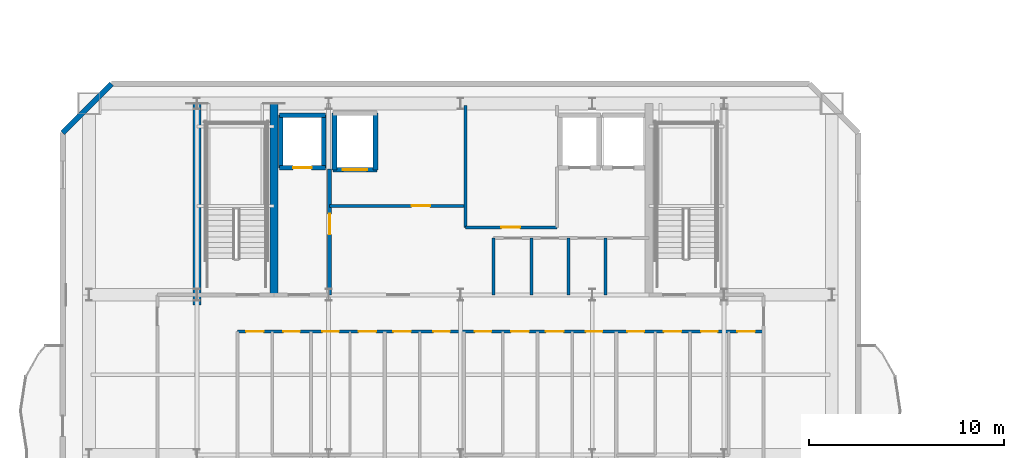
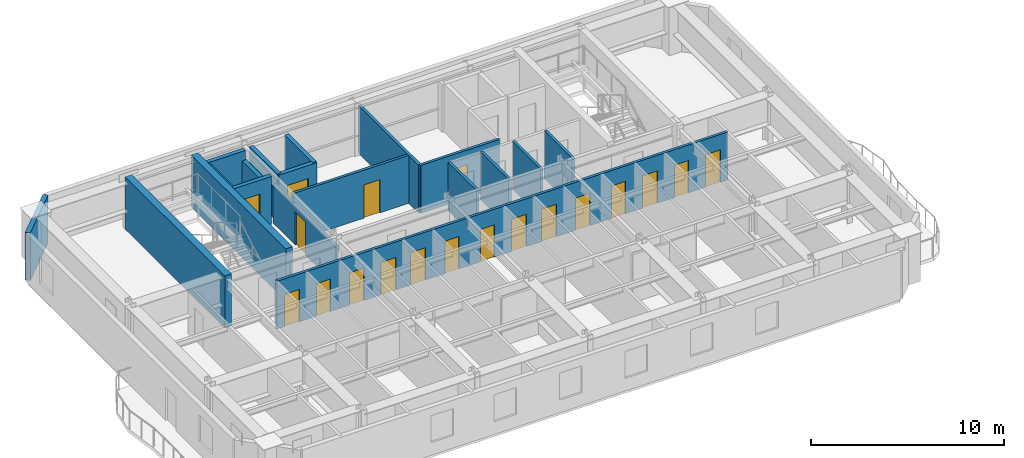
# One storey, part 8 of 16: 19 doors, 19 walls, 19 openings.
"""IFC4 building model written with IfcOpenShell, lengths in metres."""

from ifc_helpers import new_model, si_unit, direction, frame, frame_2d, origin, place, context, subcontext, project, spatial, rectangle, extrude, material, layer, layer_set, type_object, element, fill, save


model = new_model("IFC4")

# Units and contexts
model_context = context("Model", 3, precision=1e-05, world=origin(), true_north=direction((0.0, 1.0)))
body_context = subcontext(model_context, "Body", "Model", "MODEL_VIEW")
ifc_project = project(units=[si_unit("LENGTHUNIT", "METRE"), si_unit("AREAUNIT", "SQUARE_METRE"), si_unit("VOLUMEUNIT", "CUBIC_METRE"), si_unit("PLANEANGLEUNIT", "RADIAN"), si_unit("MASSUNIT", "GRAM", prefix="KILO")], contexts=[model_context])

# Site, building, storey
site_placement = place(None, origin())
site = spatial("IfcSite", under=ifc_project, at=site_placement, CompositionType="ELEMENT")
building_placement = place(site_placement, origin())
building = spatial("IfcBuilding", under=site, at=building_placement, Name="Haevon Station Towers", CompositionType="ELEMENT")
storey_placement = place(building_placement, frame((0.0, 0.0, 215.39990234375)))
storey = spatial("IfcBuildingStorey", under=building, at=storey_placement, Name="L59", CompositionType="ELEMENT", Elevation=215.39990234375)

# Wall, opening, door
ifc_material_1 = material(Name="Gypsum board on steel stud", Category="steel")
ifc_layer_1 = layer(ifc_material_1, 0.199951171875)
ifc_layer_set_1 = layer_set([ifc_layer_1], Name="Gypsum board on steel stud")
wall_type_1 = type_object("IfcWallType", Name="WL-COR200", PredefinedType="PARTITIONING", material=ifc_layer_set_1)
wall_1_placement = place(storey_placement, frame((30.800048828125, 38.199951171875, 0.0), z_axis=(0.0, 0.0, 1.0), x_axis=(0.0, 1.0, 0.0)))
wall_1 = element("IfcWall", 1, at=wall_1_placement, inside=storey, type_object=wall_type_1, Name="WL-T1FFL-L59-E", PredefinedType="PARTITIONING", context=body_context, shape_type="SweptSolid", body=[
    extrude(rectangle(XDim=6.449951171875, YDim=0.199951171875, at=frame_2d((3.22509765625, 0.0))), origin(), (0.0, 0.0, 1.0), 2.43017578125),
])
opening_1_placement = place(wall_1_placement, frame((3.10009765625, 0.0, 0.0)))
opening_1 = element("IfcOpeningElement", 2, at=opening_1_placement, cuts=wall_1, Name="Opening DR-T1FFL-L59-E", PredefinedType="OPENING", context=body_context, shape_type="SweptSolid", body=[
    extrude(rectangle(XDim=1.050048828125, YDim=2.10009765625, at=frame_2d((0.52490234375, 1.050048828125))), frame((0.0, 0.10986328125, 0.0), z_axis=(0.0, -1.0, 0.0), x_axis=(1.0, 0.0, 0.0)), (0.0, 0.0, 1.0), 0.219970703125),
])
ifc_material_2 = material(Name="Engineered oak timber", Category="wood")
door_type_1 = type_object("IfcDoorType", Name="DR-FD60-1050", OperationType="NOTDEFINED", PredefinedType="DOOR", material=ifc_material_2)
door_1_placement = place(opening_1_placement, origin())
door_1 = element("IfcDoor", 3, at=door_1_placement, inside=storey, type_object=door_type_1, Name="L59 Tower 1 Firefighting Lift Lobby Door E", OperationType="SINGLE_SWING_LEFT", OverallHeight=2.10009765625, OverallWidth=1.050048828125, PredefinedType="DOOR", context=body_context, shape_type="SweptSolid", body=[
    extrude(rectangle(XDim=1.050048828125, YDim=2.10009765625, at=frame_2d((0.52490234375, 1.050048828125))), frame((0.0, 0.02490234375, 0.0), z_axis=(0.0, -1.0, 0.0), x_axis=(1.0, 0.0, 0.0)), (0.0, 0.0, 1.0), 0.050048828125),
])
fill(opening_1, door_1)

# Walls
ifc_material_3 = material(Name="Concrete C60/75", Category="concrete")
ifc_layer_2 = layer(ifc_material_3, 0.39990234375)
ifc_layer_set_2 = layer_set([ifc_layer_2], Name="Concrete C60/75")
wall_type_2 = type_object("IfcWallType", Name="WL-CR400", PredefinedType="SHEAR", material=ifc_layer_set_2)
wall_2_placement = place(storey_placement, frame((24.0, 37.679931640625, 0.0), z_axis=(0.0, 0.0, 1.0), x_axis=(0.0, 1.0, 0.0)))
element("IfcWall", 4, at=wall_2_placement, inside=storey, type_object=wall_type_2, Name="WL-T1CR-L59-W", PredefinedType="SHEAR", context=body_context, shape_type="SweptSolid", body=[
    extrude(rectangle(XDim=10.320068359375, YDim=0.39990234375, at=frame_2d((5.16015625, 0.0))), origin(), (0.0, 0.0, 1.0), 3.300048828125),
])
wall_3_placement = place(storey_placement, frame((27.949951171875, 38.199951171875, 0.0), z_axis=(0.0, 0.0, 1.0), x_axis=(0.0, 1.0, 0.0)))
element("IfcWall", 5, at=wall_3_placement, inside=storey, type_object=wall_type_2, Name="WL-T1CR-L59-M1", PredefinedType="SHEAR", context=body_context, shape_type="SweptSolid", body=[
    extrude(rectangle(XDim=9.800048828125, YDim=0.39990234375, at=frame_2d((4.89990234375, 0.0))), origin(), (0.0, 0.0, 1.0), 3.300048828125),
])
ifc_material_4 = material(Name="Precast concrete C45/55", Category="concrete")
ifc_layer_3 = layer(ifc_material_4, 0.280029296875)
ifc_layer_set_3 = layer_set([ifc_layer_3], Name="Precast concrete C45/55")
wall_type_3 = type_object("IfcWallType", Name="WL-EXT-PIER280", PredefinedType="SOLIDWALL", material=ifc_layer_set_3)
wall_4_placement = place(storey_placement, frame((17.125, 46.5, 0.0), z_axis=(0.0, 0.0, 1.0), x_axis=(0.707106781187, 0.707106781187, 0.0)))
element("IfcWall", 6, at=wall_4_placement, inside=storey, type_object=wall_type_3, Name="WL-T1-L59-NWC", PredefinedType="SOLIDWALL", context=body_context, shape_type="SweptSolid", body=[
    extrude(rectangle(XDim=3.53564453125, YDim=0.280029296875, at=frame_2d((1.767822265625, 0.0))), origin(), (0.0, 0.0, 1.0), 3.030029296875),
])

# Wall, opening, door
ifc_layer_4 = layer(ifc_material_1, 0.159912109375)
ifc_layer_set_4 = layer_set([ifc_layer_4], Name="Gypsum board on steel stud")
wall_type_4 = type_object("IfcWallType", Name="WL-PRT160", PredefinedType="PARTITIONING", material=ifc_layer_set_4)
wall_5_placement = place(storey_placement, frame((30.800048828125, 42.75, 0.0), z_axis=(0.0, 0.0, 1.0), x_axis=(1.0, 0.0, 0.0)))
wall_5 = element("IfcWall", 7, at=wall_5_placement, inside=storey, type_object=wall_type_4, Name="WL-T1CW-L59-01", PredefinedType="PARTITIONING", context=body_context, shape_type="SweptSolid", body=[
    extrude(rectangle(XDim=6.949951171875, YDim=0.159912109375, at=frame_2d((3.47509765625, 0.0))), origin(), (0.0, 0.0, 1.0), 3.030029296875),
])
opening_2_placement = place(wall_5_placement, frame((4.199951171875, 0.0, 0.0)))
opening_2 = element("IfcOpeningElement", 8, at=opening_2_placement, cuts=wall_5, Name="Opening DR-WL-T1CW-L59-01-1", PredefinedType="OPENING", context=body_context, shape_type="SweptSolid", body=[
    extrude(rectangle(XDim=0.949951171875, YDim=2.10009765625, at=frame_2d((0.47509765625, 1.050048828125))), frame((0.0, 0.08984375, 0.0), z_axis=(0.0, -1.0, 0.0), x_axis=(1.0, 0.0, 0.0)), (0.0, 0.0, 1.0), 0.179931640625),
])
door_type_2 = type_object("IfcDoorType", Name="DR-FD60-950", OperationType="NOTDEFINED", PredefinedType="DOOR", material=ifc_material_2)
door_2_placement = place(opening_2_placement, origin())
door_2 = element("IfcDoor", 9, at=door_2_placement, inside=storey, type_object=door_type_2, Name="L59 Tower 1 Core Room Door 1-1", OperationType="SINGLE_SWING_LEFT", OverallHeight=2.10009765625, OverallWidth=0.949951171875, PredefinedType="DOOR", context=body_context, shape_type="SweptSolid", body=[
    extrude(rectangle(XDim=0.949951171875, YDim=2.10009765625, at=frame_2d((0.47509765625, 1.050048828125))), frame((0.0, 0.02490234375, 0.0), z_axis=(0.0, -1.0, 0.0), x_axis=(1.0, 0.0, 0.0)), (0.0, 0.0, 1.0), 0.050048828125),
])
fill(opening_2, door_2)

# Wall
wall_6_placement = place(storey_placement, frame((37.75, 41.64990234375, 0.0), z_axis=(0.0, 0.0, 1.0), x_axis=(0.0, 1.0, 0.0)))
element("IfcWall", 10, at=wall_6_placement, inside=storey, type_object=wall_type_4, Name="WL-T1CW-L59-02", PredefinedType="PARTITIONING", context=body_context, shape_type="SweptSolid", body=[
    extrude(rectangle(XDim=6.25, YDim=0.159912109375, at=frame_2d((3.125, 0.0))), origin(), (0.0, 0.0, 1.0), 3.030029296875),
])

# Wall, opening, door
wall_7_placement = place(storey_placement, frame((37.75, 41.64990234375, 0.0), z_axis=(0.0, 0.0, 1.0), x_axis=(1.0, 0.0, 0.0)))
wall_7 = element("IfcWall", 11, at=wall_7_placement, inside=storey, type_object=wall_type_4, Name="WL-T1CW-L59-03", PredefinedType="PARTITIONING", context=body_context, shape_type="SweptSolid", body=[
    extrude(rectangle(XDim=4.699951171875, YDim=0.159912109375, at=frame_2d((2.35009765625, 0.0))), origin(), (0.0, 0.0, 1.0), 3.030029296875),
])
opening_3_placement = place(wall_7_placement, frame((1.85009765625, 0.0, 0.0)))
opening_3 = element("IfcOpeningElement", 12, at=opening_3_placement, cuts=wall_7, Name="Opening DR-WL-T1CW-L59-03-1", PredefinedType="OPENING", context=body_context, shape_type="SweptSolid", body=[
    extrude(rectangle(XDim=0.949951171875, YDim=2.10009765625, at=frame_2d((0.47509765625, 1.050048828125))), frame((0.0, 0.08984375, 0.0), z_axis=(0.0, -1.0, 0.0), x_axis=(1.0, 0.0, 0.0)), (0.0, 0.0, 1.0), 0.179931640625),
])
door_3_placement = place(opening_3_placement, origin())
door_3 = element("IfcDoor", 13, at=door_3_placement, inside=storey, type_object=door_type_2, Name="L59 Tower 1 Core Room Door 3-1", OperationType="SINGLE_SWING_RIGHT", OverallHeight=2.10009765625, OverallWidth=0.949951171875, PredefinedType="DOOR", context=body_context, shape_type="SweptSolid", body=[
    extrude(rectangle(XDim=0.949951171875, YDim=2.10009765625, at=frame_2d((0.47509765625, 1.050048828125))), frame((0.0, 0.02490234375, 0.0), z_axis=(0.0, -1.0, 0.0), x_axis=(1.0, 0.0, 0.0)), (0.0, 0.0, 1.0), 0.050048828125),
])
fill(opening_3, door_3)

# Walls
for number, where, z_axis, x_axis, name in (
    (14, (39.199951171875, 38.199951171875, 0.0), (0.0, 0.0, 1.0), (0.0, 1.0, 0.0), "WL-T1CW-L59-06"),
    (15, (41.1298828125, 38.199951171875, 0.0), (0.0, 0.0, 1.0), (0.0, 1.0, 0.0), "WL-T1CW-L59-07"),
    (16, (43.030029296875, 38.199951171875, 0.0), (0.0, 0.0, 1.0), (0.0, 1.0, 0.0), "WL-T1CW-L59-08"),
    (17, (44.929931640625, 38.199951171875, 0.0), (0.0, 0.0, 1.0), (0.0, 1.0, 0.0), "WL-T1CW-L59-09"),
):
    element("IfcWall", number, at=place(storey_placement, frame(where, z_axis=z_axis, x_axis=x_axis)), inside=storey, type_object=wall_type_4, Name=name, PredefinedType="PARTITIONING", context=body_context, shape_type="SweptSolid", body=[
        extrude(rectangle(XDim=2.900146484375, YDim=0.159912109375, at=frame_2d((1.4501953125, 0.0))), origin(), (0.0, 0.0, 1.0), 3.030029296875),
    ])

# Wall, openings, doors
wall_8_placement = place(storey_placement, frame((26.080078125, 36.320068359375, 0.0), z_axis=(0.0, 0.0, 1.0), x_axis=(1.0, 0.0, 0.0)))
wall_8 = element("IfcWall", 18, at=wall_8_placement, inside=storey, type_object=wall_type_4, Name="WL-T1PT-L59-26", PredefinedType="PARTITIONING", context=body_context, shape_type="SweptSolid", body=[
    extrude(rectangle(XDim=26.94482421875, YDim=0.159912109375, at=frame_2d((13.472412109375, 0.0))), origin(), (0.0, 0.0, 1.0), 3.030029296875),
])
opening_4_placement = place(wall_8_placement, frame((2.35107421875, 0.0, 0.0)))
opening_4 = element("IfcOpeningElement", 19, at=opening_4_placement, cuts=wall_8, Name="Opening DR-WL-T1PT-L59-26-01", PredefinedType="OPENING", context=body_context, shape_type="SweptSolid", body=[
    extrude(rectangle(XDim=0.85009765625, YDim=2.050048828125, at=frame_2d((0.425048828125, 1.02490234375))), frame((0.0, 0.08984375, 0.0), z_axis=(0.0, -1.0, 0.0), x_axis=(1.0, 0.0, 0.0)), (0.0, 0.0, 1.0), 0.179931640625),
])
opening_5_placement = place(wall_8_placement, frame((0.43994140625, 0.0, 0.0)))
opening_5 = element("IfcOpeningElement", 20, at=opening_5_placement, cuts=wall_8, Name="Opening DR-WL-T1PT-L59-26-02", PredefinedType="OPENING", context=body_context, shape_type="SweptSolid", body=[
    extrude(rectangle(XDim=0.89990234375, YDim=2.050048828125, at=frame_2d((0.449951171875, 1.02490234375))), frame((0.0, 0.08984375, 0.0), z_axis=(0.0, -1.0, 0.0), x_axis=(1.0, 0.0, 0.0)), (0.0, 0.0, 1.0), 0.179931640625),
])
opening_6_placement = place(wall_8_placement, frame((4.343017578125, 0.0, 0.0)))
opening_6 = element("IfcOpeningElement", 21, at=opening_6_placement, cuts=wall_8, Name="Opening DR-WL-T1PT-L59-26-03", PredefinedType="OPENING", context=body_context, shape_type="SweptSolid", body=[
    extrude(rectangle(XDim=0.85009765625, YDim=2.050048828125, at=frame_2d((0.425048828125, 1.02490234375))), frame((0.0, 0.08984375, 0.0), z_axis=(0.0, -1.0, 0.0), x_axis=(1.0, 0.0, 0.0)), (0.0, 0.0, 1.0), 0.179931640625),
])
opening_7_placement = place(wall_8_placement, frame((6.205078125, 0.0, 0.0)))
opening_7 = element("IfcOpeningElement", 22, at=opening_7_placement, cuts=wall_8, Name="Opening DR-WL-T1PT-L59-26-04", PredefinedType="OPENING", context=body_context, shape_type="SweptSolid", body=[
    extrude(rectangle(XDim=0.89990234375, YDim=2.050048828125, at=frame_2d((0.449951171875, 1.02490234375))), frame((0.0, 0.08984375, 0.0), z_axis=(0.0, -1.0, 0.0), x_axis=(1.0, 0.0, 0.0)), (0.0, 0.0, 1.0), 0.179931640625),
])
opening_8_placement = place(wall_8_placement, frame((10.030029296875, 0.0, 0.0)))
opening_8 = element("IfcOpeningElement", 23, at=opening_8_placement, cuts=wall_8, Name="Opening DR-WL-T1PT-L59-26-05", PredefinedType="OPENING", context=body_context, shape_type="SweptSolid", body=[
    extrude(rectangle(XDim=0.85009765625, YDim=2.050048828125, at=frame_2d((0.425048828125, 1.02490234375))), frame((0.0, 0.08984375, 0.0), z_axis=(0.0, -1.0, 0.0), x_axis=(1.0, 0.0, 0.0)), (0.0, 0.0, 1.0), 0.179931640625),
])
opening_9_placement = place(wall_8_placement, frame((7.985107421875, 0.0, 0.0)))
opening_9 = element("IfcOpeningElement", 24, at=opening_9_placement, cuts=wall_8, Name="Opening DR-WL-T1PT-L59-26-06", PredefinedType="OPENING", context=body_context, shape_type="SweptSolid", body=[
    extrude(rectangle(XDim=0.89990234375, YDim=2.050048828125, at=frame_2d((0.449951171875, 1.02490234375))), frame((0.0, 0.08984375, 0.0), z_axis=(0.0, -1.0, 0.0), x_axis=(1.0, 0.0, 0.0)), (0.0, 0.0, 1.0), 0.179931640625),
])
opening_10_placement = place(wall_8_placement, frame((12.156982421875, 0.0, 0.0)))
opening_10 = element("IfcOpeningElement", 25, at=opening_10_placement, cuts=wall_8, Name="Opening DR-WL-T1PT-L59-26-07", PredefinedType="OPENING", context=body_context, shape_type="SweptSolid", body=[
    extrude(rectangle(XDim=0.85009765625, YDim=2.050048828125, at=frame_2d((0.425048828125, 1.02490234375))), frame((0.0, 0.08984375, 0.0), z_axis=(0.0, -1.0, 0.0), x_axis=(1.0, 0.0, 0.0)), (0.0, 0.0, 1.0), 0.179931640625),
])
opening_11_placement = place(wall_8_placement, frame((14.01904296875, 0.0, 0.0)))
opening_11 = element("IfcOpeningElement", 26, at=opening_11_placement, cuts=wall_8, Name="Opening DR-WL-T1PT-L59-26-08", PredefinedType="OPENING", context=body_context, shape_type="SweptSolid", body=[
    extrude(rectangle(XDim=0.89990234375, YDim=2.050048828125, at=frame_2d((0.449951171875, 1.02490234375))), frame((0.0, 0.08984375, 0.0), z_axis=(0.0, -1.0, 0.0), x_axis=(1.0, 0.0, 0.0)), (0.0, 0.0, 1.0), 0.179931640625),
])
opening_12_placement = place(wall_8_placement, frame((17.844970703125, 0.0, 0.0)))
opening_12 = element("IfcOpeningElement", 27, at=opening_12_placement, cuts=wall_8, Name="Opening DR-WL-T1PT-L59-26-09", PredefinedType="OPENING", context=body_context, shape_type="SweptSolid", body=[
    extrude(rectangle(XDim=0.85009765625, YDim=2.050048828125, at=frame_2d((0.425048828125, 1.02490234375))), frame((0.0, 0.08984375, 0.0), z_axis=(0.0, -1.0, 0.0), x_axis=(1.0, 0.0, 0.0)), (0.0, 0.0, 1.0), 0.179931640625),
])
opening_13_placement = place(wall_8_placement, frame((15.799072265625, 0.0, 0.0)))
opening_13 = element("IfcOpeningElement", 28, at=opening_13_placement, cuts=wall_8, Name="Opening DR-WL-T1PT-L59-26-10", PredefinedType="OPENING", context=body_context, shape_type="SweptSolid", body=[
    extrude(rectangle(XDim=0.89990234375, YDim=2.050048828125, at=frame_2d((0.449951171875, 1.02490234375))), frame((0.0, 0.08984375, 0.0), z_axis=(0.0, -1.0, 0.0), x_axis=(1.0, 0.0, 0.0)), (0.0, 0.0, 1.0), 0.179931640625),
])
opening_14_placement = place(wall_8_placement, frame((19.971923828125, 0.0, 0.0)))
opening_14 = element("IfcOpeningElement", 29, at=opening_14_placement, cuts=wall_8, Name="Opening DR-WL-T1PT-L59-26-11", PredefinedType="OPENING", context=body_context, shape_type="SweptSolid", body=[
    extrude(rectangle(XDim=0.85009765625, YDim=2.050048828125, at=frame_2d((0.425048828125, 1.02490234375))), frame((0.0, 0.08984375, 0.0), z_axis=(0.0, -1.0, 0.0), x_axis=(1.0, 0.0, 0.0)), (0.0, 0.0, 1.0), 0.179931640625),
])
opening_15_placement = place(wall_8_placement, frame((21.8330078125, 0.0, 0.0)))
opening_15 = element("IfcOpeningElement", 30, at=opening_15_placement, cuts=wall_8, Name="Opening DR-WL-T1PT-L59-26-12", PredefinedType="OPENING", context=body_context, shape_type="SweptSolid", body=[
    extrude(rectangle(XDim=0.89990234375, YDim=2.050048828125, at=frame_2d((0.449951171875, 1.02490234375))), frame((0.0, 0.08984375, 0.0), z_axis=(0.0, -1.0, 0.0), x_axis=(1.0, 0.0, 0.0)), (0.0, 0.0, 1.0), 0.179931640625),
])
opening_16_placement = place(wall_8_placement, frame((23.743896484375, 0.0, 0.0)))
opening_16 = element("IfcOpeningElement", 31, at=opening_16_placement, cuts=wall_8, Name="Opening DR-WL-T1PT-L59-26-13", PredefinedType="OPENING", context=body_context, shape_type="SweptSolid", body=[
    extrude(rectangle(XDim=0.85009765625, YDim=2.050048828125, at=frame_2d((0.425048828125, 1.02490234375))), frame((0.0, 0.08984375, 0.0), z_axis=(0.0, -1.0, 0.0), x_axis=(1.0, 0.0, 0.0)), (0.0, 0.0, 1.0), 0.179931640625),
])
opening_17_placement = place(wall_8_placement, frame((25.60498046875, 0.0, 0.0)))
opening_17 = element("IfcOpeningElement", 32, at=opening_17_placement, cuts=wall_8, Name="Opening DR-WL-T1PT-L59-26-14", PredefinedType="OPENING", context=body_context, shape_type="SweptSolid", body=[
    extrude(rectangle(XDim=0.89990234375, YDim=2.050048828125, at=frame_2d((0.449951171875, 1.02490234375))), frame((0.0, 0.08984375, 0.0), z_axis=(0.0, -1.0, 0.0), x_axis=(1.0, 0.0, 0.0)), (0.0, 0.0, 1.0), 0.179931640625),
])
door_type_3 = type_object("IfcDoorType", Name="DR-FD30-850", OperationType="NOTDEFINED", PredefinedType="DOOR", material=ifc_material_2)
door_4_placement = place(opening_4_placement, origin())
door_4 = element("IfcDoor", 33, at=door_4_placement, inside=storey, type_object=door_type_3, Name="L59 Tower 1 Room Door 26-1", OperationType="SINGLE_SWING_LEFT", OverallHeight=2.050048828125, OverallWidth=0.85009765625, PredefinedType="DOOR", context=body_context, shape_type="SweptSolid", body=[
    extrude(rectangle(XDim=0.85009765625, YDim=2.050048828125, at=frame_2d((0.425048828125, 1.02490234375))), frame((0.0, 0.02490234375, 0.0), z_axis=(0.0, -1.0, 0.0), x_axis=(1.0, 0.0, 0.0)), (0.0, 0.0, 1.0), 0.050048828125),
])
fill(opening_4, door_4)
door_5_placement = place(opening_6_placement, origin())
door_5 = element("IfcDoor", 34, at=door_5_placement, inside=storey, type_object=door_type_3, Name="L59 Tower 1 Room Door 26-3", OperationType="SINGLE_SWING_LEFT", OverallHeight=2.050048828125, OverallWidth=0.85009765625, PredefinedType="DOOR", context=body_context, shape_type="SweptSolid", body=[
    extrude(rectangle(XDim=0.85009765625, YDim=2.050048828125, at=frame_2d((0.425048828125, 1.02490234375))), frame((0.0, 0.02490234375, 0.0), z_axis=(0.0, -1.0, 0.0), x_axis=(1.0, 0.0, 0.0)), (0.0, 0.0, 1.0), 0.050048828125),
])
fill(opening_6, door_5)
door_6_placement = place(opening_8_placement, origin())
door_6 = element("IfcDoor", 35, at=door_6_placement, inside=storey, type_object=door_type_3, Name="L59 Tower 1 Room Door 26-5", OperationType="SINGLE_SWING_LEFT", OverallHeight=2.050048828125, OverallWidth=0.85009765625, PredefinedType="DOOR", context=body_context, shape_type="SweptSolid", body=[
    extrude(rectangle(XDim=0.85009765625, YDim=2.050048828125, at=frame_2d((0.425048828125, 1.02490234375))), frame((0.0, 0.02490234375, 0.0), z_axis=(0.0, -1.0, 0.0), x_axis=(1.0, 0.0, 0.0)), (0.0, 0.0, 1.0), 0.050048828125),
])
fill(opening_8, door_6)
door_7_placement = place(opening_10_placement, origin())
door_7 = element("IfcDoor", 36, at=door_7_placement, inside=storey, type_object=door_type_3, Name="L59 Tower 1 Room Door 26-7", OperationType="SINGLE_SWING_LEFT", OverallHeight=2.050048828125, OverallWidth=0.85009765625, PredefinedType="DOOR", context=body_context, shape_type="SweptSolid", body=[
    extrude(rectangle(XDim=0.85009765625, YDim=2.050048828125, at=frame_2d((0.425048828125, 1.02490234375))), frame((0.0, 0.02490234375, 0.0), z_axis=(0.0, -1.0, 0.0), x_axis=(1.0, 0.0, 0.0)), (0.0, 0.0, 1.0), 0.050048828125),
])
fill(opening_10, door_7)
door_8_placement = place(opening_12_placement, origin())
door_8 = element("IfcDoor", 37, at=door_8_placement, inside=storey, type_object=door_type_3, Name="L59 Tower 1 Room Door 26-9", OperationType="SINGLE_SWING_LEFT", OverallHeight=2.050048828125, OverallWidth=0.85009765625, PredefinedType="DOOR", context=body_context, shape_type="SweptSolid", body=[
    extrude(rectangle(XDim=0.85009765625, YDim=2.050048828125, at=frame_2d((0.425048828125, 1.02490234375))), frame((0.0, 0.02490234375, 0.0), z_axis=(0.0, -1.0, 0.0), x_axis=(1.0, 0.0, 0.0)), (0.0, 0.0, 1.0), 0.050048828125),
])
fill(opening_12, door_8)
door_9_placement = place(opening_14_placement, origin())
door_9 = element("IfcDoor", 38, at=door_9_placement, inside=storey, type_object=door_type_3, Name="L59 Tower 1 Room Door 26-11", OperationType="SINGLE_SWING_LEFT", OverallHeight=2.050048828125, OverallWidth=0.85009765625, PredefinedType="DOOR", context=body_context, shape_type="SweptSolid", body=[
    extrude(rectangle(XDim=0.85009765625, YDim=2.050048828125, at=frame_2d((0.425048828125, 1.02490234375))), frame((0.0, 0.02490234375, 0.0), z_axis=(0.0, -1.0, 0.0), x_axis=(1.0, 0.0, 0.0)), (0.0, 0.0, 1.0), 0.050048828125),
])
fill(opening_14, door_9)
door_10_placement = place(opening_16_placement, origin())
door_10 = element("IfcDoor", 39, at=door_10_placement, inside=storey, type_object=door_type_3, Name="L59 Tower 1 Room Door 26-13", OperationType="SINGLE_SWING_LEFT", OverallHeight=2.050048828125, OverallWidth=0.85009765625, PredefinedType="DOOR", context=body_context, shape_type="SweptSolid", body=[
    extrude(rectangle(XDim=0.85009765625, YDim=2.050048828125, at=frame_2d((0.425048828125, 1.02490234375))), frame((0.0, 0.02490234375, 0.0), z_axis=(0.0, -1.0, 0.0), x_axis=(1.0, 0.0, 0.0)), (0.0, 0.0, 1.0), 0.050048828125),
])
fill(opening_16, door_10)
door_type_4 = type_object("IfcDoorType", Name="DR-INT-900", OperationType="NOTDEFINED", PredefinedType="DOOR", material=ifc_material_2)
door_11_placement = place(opening_5_placement, origin())
door_11 = element("IfcDoor", 40, at=door_11_placement, inside=storey, type_object=door_type_4, Name="L59 Tower 1 Room Door 26-2", OperationType="SINGLE_SWING_RIGHT", OverallHeight=2.050048828125, OverallWidth=0.89990234375, PredefinedType="DOOR", context=body_context, shape_type="SweptSolid", body=[
    extrude(rectangle(XDim=0.89990234375, YDim=2.050048828125, at=frame_2d((0.449951171875, 1.02490234375))), frame((0.0, 0.02490234375, 0.0), z_axis=(0.0, -1.0, 0.0), x_axis=(1.0, 0.0, 0.0)), (0.0, 0.0, 1.0), 0.050048828125),
])
fill(opening_5, door_11)
door_12_placement = place(opening_7_placement, origin())
door_12 = element("IfcDoor", 41, at=door_12_placement, inside=storey, type_object=door_type_4, Name="L59 Tower 1 Room Door 26-4", OperationType="SINGLE_SWING_RIGHT", OverallHeight=2.050048828125, OverallWidth=0.89990234375, PredefinedType="DOOR", context=body_context, shape_type="SweptSolid", body=[
    extrude(rectangle(XDim=0.89990234375, YDim=2.050048828125, at=frame_2d((0.449951171875, 1.02490234375))), frame((0.0, 0.02490234375, 0.0), z_axis=(0.0, -1.0, 0.0), x_axis=(1.0, 0.0, 0.0)), (0.0, 0.0, 1.0), 0.050048828125),
])
fill(opening_7, door_12)
door_13_placement = place(opening_9_placement, origin())
door_13 = element("IfcDoor", 42, at=door_13_placement, inside=storey, type_object=door_type_4, Name="L59 Tower 1 Room Door 26-6", OperationType="SINGLE_SWING_RIGHT", OverallHeight=2.050048828125, OverallWidth=0.89990234375, PredefinedType="DOOR", context=body_context, shape_type="SweptSolid", body=[
    extrude(rectangle(XDim=0.89990234375, YDim=2.050048828125, at=frame_2d((0.449951171875, 1.02490234375))), frame((0.0, 0.02490234375, 0.0), z_axis=(0.0, -1.0, 0.0), x_axis=(1.0, 0.0, 0.0)), (0.0, 0.0, 1.0), 0.050048828125),
])
fill(opening_9, door_13)
door_14_placement = place(opening_11_placement, origin())
door_14 = element("IfcDoor", 43, at=door_14_placement, inside=storey, type_object=door_type_4, Name="L59 Tower 1 Room Door 26-8", OperationType="SINGLE_SWING_RIGHT", OverallHeight=2.050048828125, OverallWidth=0.89990234375, PredefinedType="DOOR", context=body_context, shape_type="SweptSolid", body=[
    extrude(rectangle(XDim=0.89990234375, YDim=2.050048828125, at=frame_2d((0.449951171875, 1.02490234375))), frame((0.0, 0.02490234375, 0.0), z_axis=(0.0, -1.0, 0.0), x_axis=(1.0, 0.0, 0.0)), (0.0, 0.0, 1.0), 0.050048828125),
])
fill(opening_11, door_14)
door_15_placement = place(opening_13_placement, origin())
door_15 = element("IfcDoor", 44, at=door_15_placement, inside=storey, type_object=door_type_4, Name="L59 Tower 1 Room Door 26-10", OperationType="SINGLE_SWING_RIGHT", OverallHeight=2.050048828125, OverallWidth=0.89990234375, PredefinedType="DOOR", context=body_context, shape_type="SweptSolid", body=[
    extrude(rectangle(XDim=0.89990234375, YDim=2.050048828125, at=frame_2d((0.449951171875, 1.02490234375))), frame((0.0, 0.02490234375, 0.0), z_axis=(0.0, -1.0, 0.0), x_axis=(1.0, 0.0, 0.0)), (0.0, 0.0, 1.0), 0.050048828125),
])
fill(opening_13, door_15)
door_16_placement = place(opening_15_placement, origin())
door_16 = element("IfcDoor", 45, at=door_16_placement, inside=storey, type_object=door_type_4, Name="L59 Tower 1 Room Door 26-12", OperationType="SINGLE_SWING_RIGHT", OverallHeight=2.050048828125, OverallWidth=0.89990234375, PredefinedType="DOOR", context=body_context, shape_type="SweptSolid", body=[
    extrude(rectangle(XDim=0.89990234375, YDim=2.050048828125, at=frame_2d((0.449951171875, 1.02490234375))), frame((0.0, 0.02490234375, 0.0), z_axis=(0.0, -1.0, 0.0), x_axis=(1.0, 0.0, 0.0)), (0.0, 0.0, 1.0), 0.050048828125),
])
fill(opening_15, door_16)
door_17_placement = place(opening_17_placement, origin())
door_17 = element("IfcDoor", 46, at=door_17_placement, inside=storey, type_object=door_type_4, Name="L59 Tower 1 Room Door 26-14", OperationType="SINGLE_SWING_RIGHT", OverallHeight=2.050048828125, OverallWidth=0.89990234375, PredefinedType="DOOR", context=body_context, shape_type="SweptSolid", body=[
    extrude(rectangle(XDim=0.89990234375, YDim=2.050048828125, at=frame_2d((0.449951171875, 1.02490234375))), frame((0.0, 0.02490234375, 0.0), z_axis=(0.0, -1.0, 0.0), x_axis=(1.0, 0.0, 0.0)), (0.0, 0.0, 1.0), 0.050048828125),
])
fill(opening_17, door_17)

# Wall, opening, door
ifc_material_5 = material(Name="Concrete C40/50", Category="concrete")
ifc_layer_5 = layer(ifc_material_5, 0.239990234375)
ifc_layer_set_5 = layer_set([ifc_layer_5], Name="Concrete C40/50")
wall_type_5 = type_object("IfcWallType", Name="WL-SHF240", PredefinedType="PARTITIONING", material=ifc_layer_set_5)
wall_9_placement = place(storey_placement, frame((28.219970703125, 44.699951171875, 0.0), z_axis=(0.0, 0.0, 1.0), x_axis=(1.0, 0.0, 0.0)))
wall_9 = element("IfcWall", 47, at=wall_9_placement, inside=storey, type_object=wall_type_5, Name="WL-SHF-FL1-L59", PredefinedType="PARTITIONING", context=body_context, shape_type="SweptSolid", body=[
    extrude(rectangle(XDim=2.360107421875, YDim=0.239990234375, at=frame_2d((1.18017578125, 0.0))), origin(), (0.0, 0.0, 1.0), 3.030029296875),
])
opening_18_placement = place(wall_9_placement, frame((0.705078125, 0.0, 0.0)))
opening_18 = element("IfcOpeningElement", 48, at=opening_18_placement, cuts=wall_9, Name="Opening LD-FL1-L59", PredefinedType="OPENING", context=body_context, shape_type="SweptSolid", body=[
    extrude(rectangle(XDim=0.949951171875, YDim=2.14990234375, at=frame_2d((0.47509765625, 1.074951171875))), frame((0.0, 0.1298828125, 0.0), z_axis=(0.0, -1.0, 0.0), x_axis=(1.0, 0.0, 0.0)), (0.0, 0.0, 1.0), 0.260009765625),
])
ifc_material_6 = material(Name="Stainless steel and rated core", Category="steel")
door_type_5 = type_object("IfcDoorType", Name="LD-FL950", OperationType="SLIDING_TO_LEFT", PredefinedType="DOOR", material=ifc_material_6)
door_18_placement = place(opening_18_placement, origin())
door_18 = element("IfcDoor", 49, at=door_18_placement, inside=storey, type_object=door_type_5, Name="L59 Lift FL1 Sliding Landing Door", OperationType="SLIDING_TO_LEFT", OverallHeight=2.14990234375, OverallWidth=0.949951171875, PredefinedType="DOOR", context=body_context, shape_type="SweptSolid", body=[
    extrude(rectangle(XDim=0.949951171875, YDim=2.14990234375, at=frame_2d((0.47509765625, 1.074951171875))), frame((0.0, 0.02490234375, 0.0), z_axis=(0.0, -1.0, 0.0), x_axis=(1.0, 0.0, 0.0)), (0.0, 0.0, 1.0), 0.050048828125),
])
fill(opening_18, door_18)

# Walls
wall_10_placement = place(storey_placement, frame((28.219970703125, 47.39990234375, 0.0), z_axis=(0.0, 0.0, 1.0), x_axis=(1.0, 0.0, 0.0)))
element("IfcWall", 50, at=wall_10_placement, inside=storey, type_object=wall_type_5, Name="WL-SHF-FL1-L59-N", PredefinedType="PARTITIONING", context=body_context, shape_type="SweptSolid", body=[
    extrude(rectangle(XDim=2.360107421875, YDim=0.239990234375, at=frame_2d((1.18017578125, 0.0))), origin(), (0.0, 0.0, 1.0), 3.030029296875),
])
wall_11_placement = place(storey_placement, frame((28.300048828125, 44.699951171875, 0.0), z_axis=(0.0, 0.0, 1.0), x_axis=(0.0, 1.0, 0.0)))
element("IfcWall", 51, at=wall_11_placement, inside=storey, type_object=wall_type_5, Name="WL-SHF-FL1-L59-W", PredefinedType="PARTITIONING", context=body_context, shape_type="SweptSolid", body=[
    extrude(rectangle(XDim=2.699951171875, YDim=0.239990234375, at=frame_2d((1.35009765625, 0.0))), origin(), (0.0, 0.0, 1.0), 3.030029296875),
])
wall_12_placement = place(storey_placement, frame((30.5, 44.699951171875, 0.0), z_axis=(0.0, 0.0, 1.0), x_axis=(0.0, 1.0, 0.0)))
element("IfcWall", 52, at=wall_12_placement, inside=storey, type_object=wall_type_5, Name="WL-SHF-FL1-L59-E", PredefinedType="PARTITIONING", context=body_context, shape_type="SweptSolid", body=[
    extrude(rectangle(XDim=2.699951171875, YDim=0.239990234375, at=frame_2d((1.35009765625, 0.0))), origin(), (0.0, 0.0, 1.0), 2.43017578125),
])

# Wall, opening, door
wall_13_placement = place(storey_placement, frame((30.969970703125, 44.60009765625, 0.0), z_axis=(0.0, 0.0, 1.0), x_axis=(1.0, 0.0, 0.0)))
wall_13 = element("IfcWall", 53, at=wall_13_placement, inside=storey, type_object=wall_type_5, Name="WL-SHF-SL1-L59", PredefinedType="PARTITIONING", context=body_context, shape_type="SweptSolid", body=[
    extrude(rectangle(XDim=2.260009765625, YDim=0.239990234375, at=frame_2d((1.1298828125, 0.0))), origin(), (0.0, 0.0, 1.0), 3.030029296875),
])
opening_19_placement = place(wall_13_placement, frame((0.5048828125, 0.0, 0.0)))
opening_19 = element("IfcOpeningElement", 54, at=opening_19_placement, cuts=wall_13, Name="Opening LD-SL1-L59", PredefinedType="OPENING", context=body_context, shape_type="SweptSolid", body=[
    extrude(rectangle(XDim=1.25, YDim=2.199951171875, at=frame_2d((0.625, 1.10009765625))), frame((0.0, 0.1298828125, 0.0), z_axis=(0.0, -1.0, 0.0), x_axis=(1.0, 0.0, 0.0)), (0.0, 0.0, 1.0), 0.260009765625),
])
door_type_6 = type_object("IfcDoorType", Name="LD-SL1250", OperationType="SLIDING_TO_LEFT", PredefinedType="DOOR", material=ifc_material_6)
door_19_placement = place(opening_19_placement, origin())
door_19 = element("IfcDoor", 55, at=door_19_placement, inside=storey, type_object=door_type_6, Name="L59 Lift SL1 Sliding Landing Door", OperationType="SLIDING_TO_LEFT", OverallHeight=2.199951171875, OverallWidth=1.25, PredefinedType="DOOR", context=body_context, shape_type="SweptSolid", body=[
    extrude(rectangle(XDim=1.25, YDim=2.199951171875, at=frame_2d((0.625, 1.10009765625))), frame((0.0, 0.02490234375, 0.0), z_axis=(0.0, -1.0, 0.0), x_axis=(1.0, 0.0, 0.0)), (0.0, 0.0, 1.0), 0.050048828125),
])
fill(opening_19, door_19)

# Walls
for number, where, z_axis, x_axis, name in (
    (56, (31.050048828125, 44.60009765625, 0.0), (0.0, 0.0, 1.0), (0.0, 1.0, 0.0), "WL-SHF-SL1-L59-W"),
    (57, (33.14990234375, 44.60009765625, 0.0), (0.0, 0.0, 1.0), (0.0, 1.0, 0.0), "WL-SHF-SL1-L59-E"),
):
    element("IfcWall", number, at=place(storey_placement, frame(where, z_axis=z_axis, x_axis=x_axis)), inside=storey, type_object=wall_type_5, Name=name, PredefinedType="PARTITIONING", context=body_context, shape_type="SweptSolid", body=[
        extrude(rectangle(XDim=2.89990234375, YDim=0.239990234375, at=frame_2d((1.449951171875, 0.0))), origin(), (0.0, 0.0, 1.0), 3.030029296875),
    ])

save(model, "model.ifc")
